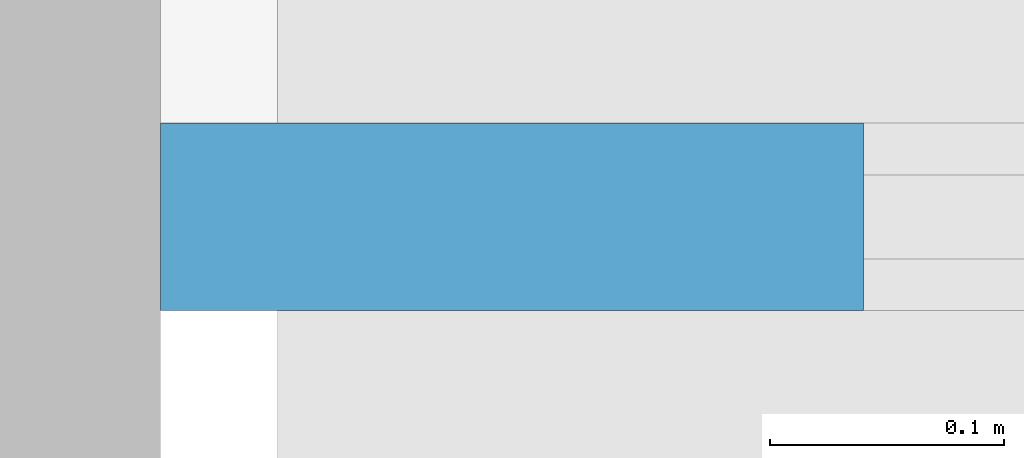
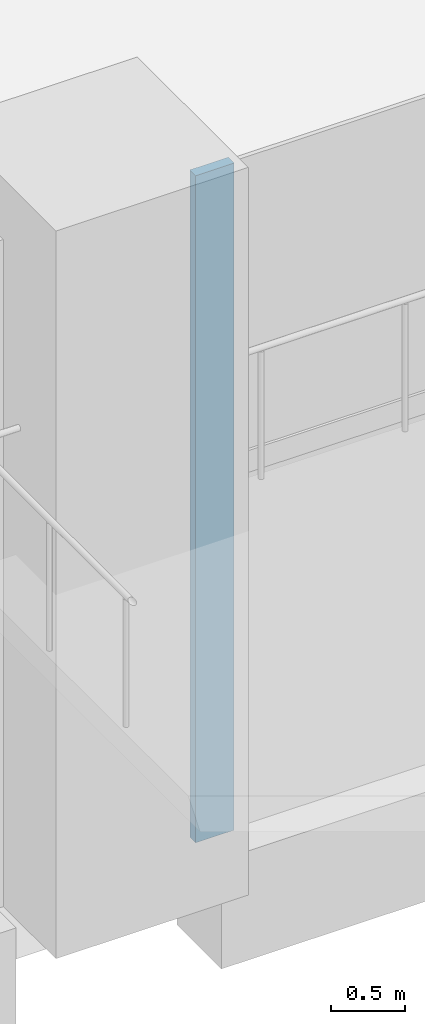
# One storey, part 5 of 49: 1 member, 1 element without a shape of its own.
"""IFC4 building model written with IfcOpenShell, lengths in metres."""

from ifc_helpers import new_model, si_unit, direction, frame, origin, origin_2d, place, context, subcontext, project, spatial, rectangle, extrude, material, material_profile, profile_set, type_object, element, aggregate, save


model = new_model("IFC4")

# Units and contexts
model_context = context("Model", 3, precision=1e-05, world=origin(), true_north=direction((0.0, 1.0)))
body_context = subcontext(model_context, "Body", "Model", "MODEL_VIEW")
ifc_project = project(units=[si_unit("LENGTHUNIT", "METRE"), si_unit("AREAUNIT", "SQUARE_METRE"), si_unit("VOLUMEUNIT", "CUBIC_METRE"), si_unit("PLANEANGLEUNIT", "RADIAN"), si_unit("MASSUNIT", "GRAM", prefix="KILO")], contexts=[model_context])

# Site, building, storey
site_placement = place(None, origin())
site = spatial("IfcSite", under=ifc_project, at=site_placement, CompositionType="ELEMENT")
building_placement = place(site_placement, origin())
building = spatial("IfcBuilding", under=site, at=building_placement, Name="Candeia Pilgrim Tower and Theatre", CompositionType="ELEMENT")
storey_placement = place(building_placement, frame((0.0, 0.0, 17.0)))
storey = spatial("IfcBuildingStorey", under=building, at=storey_placement, Name="L02", CompositionType="ELEMENT", Elevation=17.0)

# Curtain wall, member
ifc_material_1 = material(Name="Aluminium framed podium glazing", Category="aluminium")
curtain_wall_type = type_object("IfcCurtainWallType", Name="CW-P curtain wall", PredefinedType="NOTDEFINED", material=ifc_material_1)
curtain_wall_placement = place(storey_placement, origin())
curtain_wall = element("IfcCurtainWall", 1, at=curtain_wall_placement, inside=storey, type_object=curtain_wall_type, Name="Curtain wall CW-P L02.321", PredefinedType="NOTDEFINED")
ifc_material_2 = material(Name="Anodised aluminium", Category="aluminium")
ifc_material_profile = material_profile(ifc_material_2, rectangle(XDim=0.080078125, YDim=0.300048828125, at=origin_2d()))
ifc_profile_set = profile_set([ifc_material_profile], Name="Anodised aluminium")
member_type = type_object("IfcMemberType", Name="CW-P mullion 80x300", PredefinedType="MULLION", material=ifc_profile_set)
member_placement = place(storey_placement, frame((110.10009765625, 64.39990234375, 0.0), z_axis=(0.0, 0.0, 1.0), x_axis=(0.0, -1.0, 0.0)))
member = element("IfcMember", 2, at=member_placement, type_object=member_type, Name="CW-P mullion 2", PredefinedType="MULLION", context=body_context, shape_type="SweptSolid", body=[
    extrude(rectangle(XDim=0.080078125, YDim=0.300048828125, at=origin_2d()), origin(), (0.0, 0.0, 1.0), 5.5),
])
aggregate(curtain_wall, [member])

save(model, "model.ifc")
